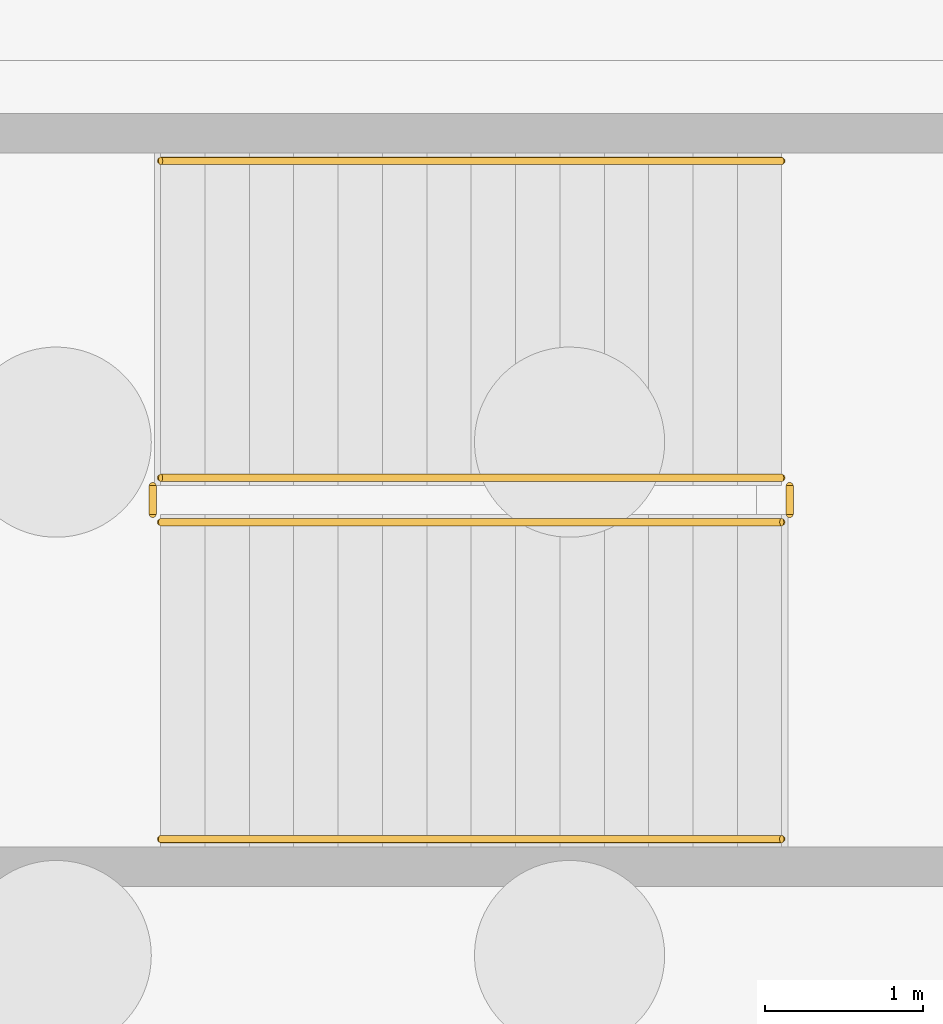
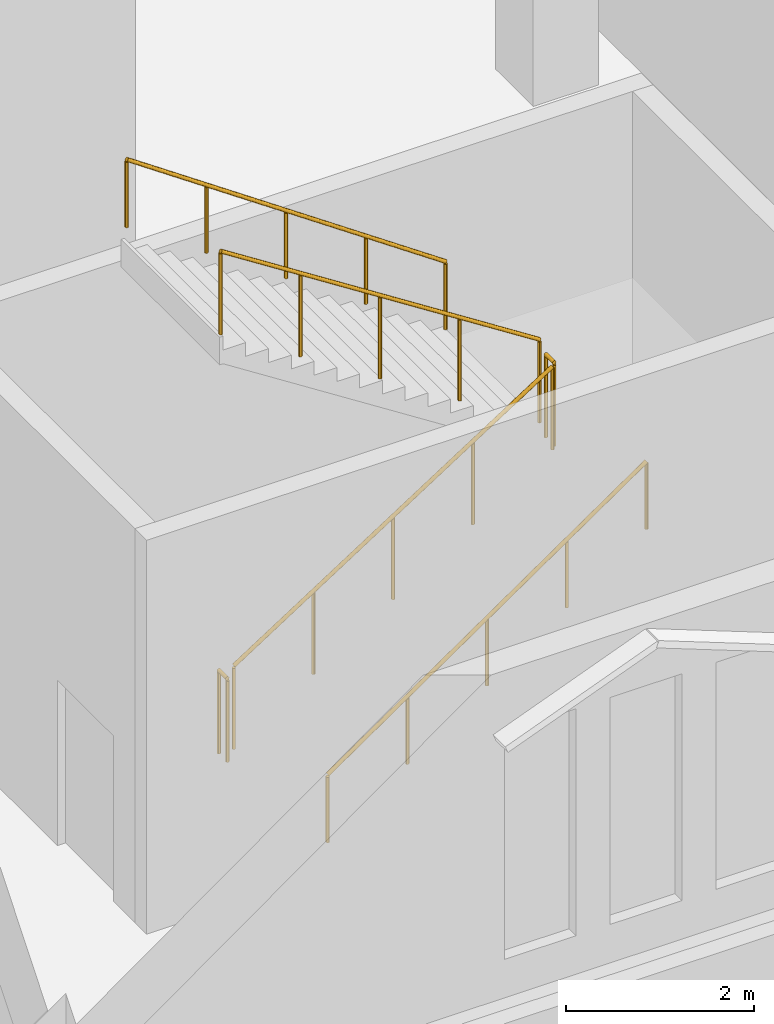
# One storey, part 184 of 192: 6 railings.
"""IFC4 building model written with IfcOpenShell, lengths in metres."""

from ifc_helpers import new_model, si_unit, direction, frame, origin, origin_2d, place, context, subcontext, project, spatial, circle, extrude, material, type_object, element, save


model = new_model("IFC4")

# Units and contexts
model_context = context("Model", 3, precision=1e-05, world=origin(), true_north=direction((0.0, 1.0)))
body_context = subcontext(model_context, "Body", "Model", "MODEL_VIEW")
ifc_project = project(units=[si_unit("LENGTHUNIT", "METRE"), si_unit("AREAUNIT", "SQUARE_METRE"), si_unit("VOLUMEUNIT", "CUBIC_METRE"), si_unit("PLANEANGLEUNIT", "RADIAN"), si_unit("MASSUNIT", "GRAM", prefix="KILO")], contexts=[model_context])

# Site, building, storey
site_placement = place(None, origin())
site = spatial("IfcSite", under=ifc_project, at=site_placement, CompositionType="ELEMENT")
building_placement = place(site_placement, origin())
building = spatial("IfcBuilding", under=site, at=building_placement, Name="Cendralis Lancet Convention Centre", CompositionType="ELEMENT")
storey_placement = place(building_placement, origin())
storey = spatial("IfcBuildingStorey", under=building, at=storey_placement, Name="L00", CompositionType="ELEMENT", Elevation=0.0)

# Railings
ifc_material = material(Name="Steel S355", Category="steel")
railing_type_1 = type_object("IfcRailingType", Name="ARC-RL-CGD", PredefinedType="GUARDRAIL", material=ifc_material)
railing_1_placement = place(storey_placement, frame((129.949951171875, 98.64990234375, 0.179931640625)))
element("IfcRailing", 1, at=railing_1_placement, inside=storey, type_object=railing_type_1, Name="L00 ST-07 stair guard 1", PredefinedType="GUARDRAIL", context=body_context, shape_type="SweptSolid", body=[
    extrude(circle(Radius=0.02392578125, at=origin_2d()), frame((0.0, 0.0, 1.076171875), z_axis=(0.841186985886, 0.0, 0.540744352514), x_axis=(0.0, 1.0, 0.0)), (0.0, 0.0, 1.0), 4.660400390625),
    extrude(circle(Radius=0.02099609375, at=origin_2d()), origin(), (0.0, 0.0, 1.0), 1.052001953125),
    extrude(circle(Radius=0.02099609375, at=origin_2d()), frame((0.97998046875, 0.0, 0.6298828125)), (0.0, 0.0, 1.0), 1.052001953125),
    extrude(circle(Radius=0.02099609375, at=origin_2d()), frame((1.9599609375, 0.0, 1.260009765625)), (0.0, 0.0, 1.0), 1.052001953125),
    extrude(circle(Radius=0.02099609375, at=origin_2d()), frame((2.940185546875, 0.0, 1.89013671875)), (0.0, 0.0, 1.0), 1.052001953125),
    extrude(circle(Radius=0.02099609375, at=origin_2d()), frame((3.920166015625, 0.0, 2.52001953125)), (0.0, 0.0, 1.0), 1.052001953125),
])
railing_2_placement = place(storey_placement, frame((133.919921875, 98.699951171875, 2.699951171875)))
element("IfcRailing", 2, at=railing_2_placement, inside=storey, type_object=railing_type_1, Name="L00 ST-07 stair guard 2", PredefinedType="GUARDRAIL", context=body_context, shape_type="SweptSolid", body=[
    extrude(circle(Radius=0.02392578125, at=origin_2d()), frame((0.0, 0.0, 1.076171875), z_axis=(0.0, 1.0, 0.0), x_axis=(-1.0, 0.0, 0.0)), (0.0, 0.0, 1.0), 0.179931640625),
    extrude(circle(Radius=0.02099609375, at=origin_2d()), origin(), (0.0, 0.0, 1.0), 1.052001953125),
    extrude(circle(Radius=0.02099609375, at=origin_2d()), frame((0.0, 0.179931640625, 0.0)), (0.0, 0.0, 1.0), 1.052001953125),
])
railing_3_placement = place(storey_placement, frame((133.8701171875, 98.929931640625, 2.8798828125)))
element("IfcRailing", 3, at=railing_3_placement, inside=storey, type_object=railing_type_1, Name="L00 ST-07 stair guard 3", PredefinedType="GUARDRAIL", context=body_context, shape_type="SweptSolid", body=[
    extrude(circle(Radius=0.02392578125, at=origin_2d()), frame((0.0, 0.0, 1.076171875), z_axis=(-0.841186985886, 0.0, 0.540744352514), x_axis=(0.0, -1.0, 0.0)), (0.0, 0.0, 1.0), 4.660400390625),
    extrude(circle(Radius=0.02099609375, at=origin_2d()), origin(), (0.0, 0.0, 1.0), 1.052001953125),
    extrude(circle(Radius=0.02099609375, at=origin_2d()), frame((-0.97998046875, 0.0, 0.6298828125)), (0.0, 0.0, 1.0), 1.052001953125),
    extrude(circle(Radius=0.02099609375, at=origin_2d()), frame((-1.9599609375, 0.0, 1.260009765625)), (0.0, 0.0, 1.0), 1.052001953125),
    extrude(circle(Radius=0.02099609375, at=origin_2d()), frame((-2.940185546875, 0.0, 1.89013671875)), (0.0, 0.0, 1.0), 1.052001953125),
    extrude(circle(Radius=0.02099609375, at=origin_2d()), frame((-3.920166015625, 0.0, 2.52001953125)), (0.0, 0.0, 1.0), 1.052001953125),
])
railing_4_placement = place(storey_placement, frame((129.89990234375, 98.699951171875, 0.0)))
element("IfcRailing", 4, at=railing_4_placement, inside=storey, type_object=railing_type_1, Name="L00 ST-07 stair guard 4", PredefinedType="GUARDRAIL", context=body_context, shape_type="SweptSolid", body=[
    extrude(circle(Radius=0.02392578125, at=origin_2d()), frame((0.0, 0.0, 1.076171875), z_axis=(0.0, 1.0, 0.0), x_axis=(-1.0, 0.0, 0.0)), (0.0, 0.0, 1.0), 0.179931640625),
    extrude(circle(Radius=0.02099609375, at=origin_2d()), origin(), (0.0, 0.0, 1.0), 1.052001953125),
    extrude(circle(Radius=0.02099609375, at=origin_2d()), frame((0.0, 0.179931640625, 0.0)), (0.0, 0.0, 1.0), 1.052001953125),
])
railing_type_2 = type_object("IfcRailingType", Name="ARC-RL-CHR", PredefinedType="HANDRAIL", material=ifc_material)
railing_5_placement = place(storey_placement, frame((129.949951171875, 96.64990234375, 0.179931640625)))
element("IfcRailing", 5, at=railing_5_placement, inside=storey, type_object=railing_type_2, Name="L00 ST-07 stair handrail 1", PredefinedType="HANDRAIL", context=body_context, shape_type="SweptSolid", body=[
    extrude(circle(Radius=0.02392578125, at=origin_2d()), frame((0.0, 0.0, 0.8759765625), z_axis=(0.823567234665, 0.0, 0.567218661528), x_axis=(0.0, 1.0, 0.0)), (0.0, 0.0, 1.0), 4.760009765625),
    extrude(circle(Radius=0.02099609375, at=origin_2d()), origin(), (0.0, 0.0, 1.0), 0.851806640625),
    extrude(circle(Radius=0.02099609375, at=origin_2d()), frame((0.97998046875, 0.0, 0.675048828125)), (0.0, 0.0, 1.0), 0.851806640625),
    extrude(circle(Radius=0.02099609375, at=origin_2d()), frame((1.9599609375, 0.0, 1.35009765625)), (0.0, 0.0, 1.0), 0.851806640625),
    extrude(circle(Radius=0.02099609375, at=origin_2d()), frame((2.940185546875, 0.0, 2.02490234375)), (0.0, 0.0, 1.0), 0.851806640625),
    extrude(circle(Radius=0.02099609375, at=origin_2d()), frame((3.920166015625, 0.0, 2.699951171875)), (0.0, 0.0, 1.0), 0.851806640625),
])
railing_6_placement = place(storey_placement, frame((133.8701171875, 100.929931640625, 2.8798828125)))
element("IfcRailing", 6, at=railing_6_placement, inside=storey, type_object=railing_type_2, Name="L00 ST-07 stair handrail 2", PredefinedType="HANDRAIL", context=body_context, shape_type="SweptSolid", body=[
    extrude(circle(Radius=0.02392578125, at=origin_2d()), frame((0.0, 0.0, 0.8759765625), z_axis=(-0.82354327477, 0.0, 0.567253448276), x_axis=(0.0, -1.0, 0.0)), (0.0, 0.0, 1.0), 4.760009765625),
    extrude(circle(Radius=0.02099609375, at=origin_2d()), origin(), (0.0, 0.0, 1.0), 0.851806640625),
    extrude(circle(Radius=0.02099609375, at=origin_2d()), frame((-0.97998046875, 0.0, 0.675048828125)), (0.0, 0.0, 1.0), 0.851806640625),
    extrude(circle(Radius=0.02099609375, at=origin_2d()), frame((-1.9599609375, 0.0, 1.35009765625)), (0.0, 0.0, 1.0), 0.851806640625),
    extrude(circle(Radius=0.02099609375, at=origin_2d()), frame((-2.940185546875, 0.0, 2.025146484375)), (0.0, 0.0, 1.0), 0.851806640625),
    extrude(circle(Radius=0.02099609375, at=origin_2d()), frame((-3.920166015625, 0.0, 2.7001953125)), (0.0, 0.0, 1.0), 0.851806640625),
])

save(model, "model.ifc")
